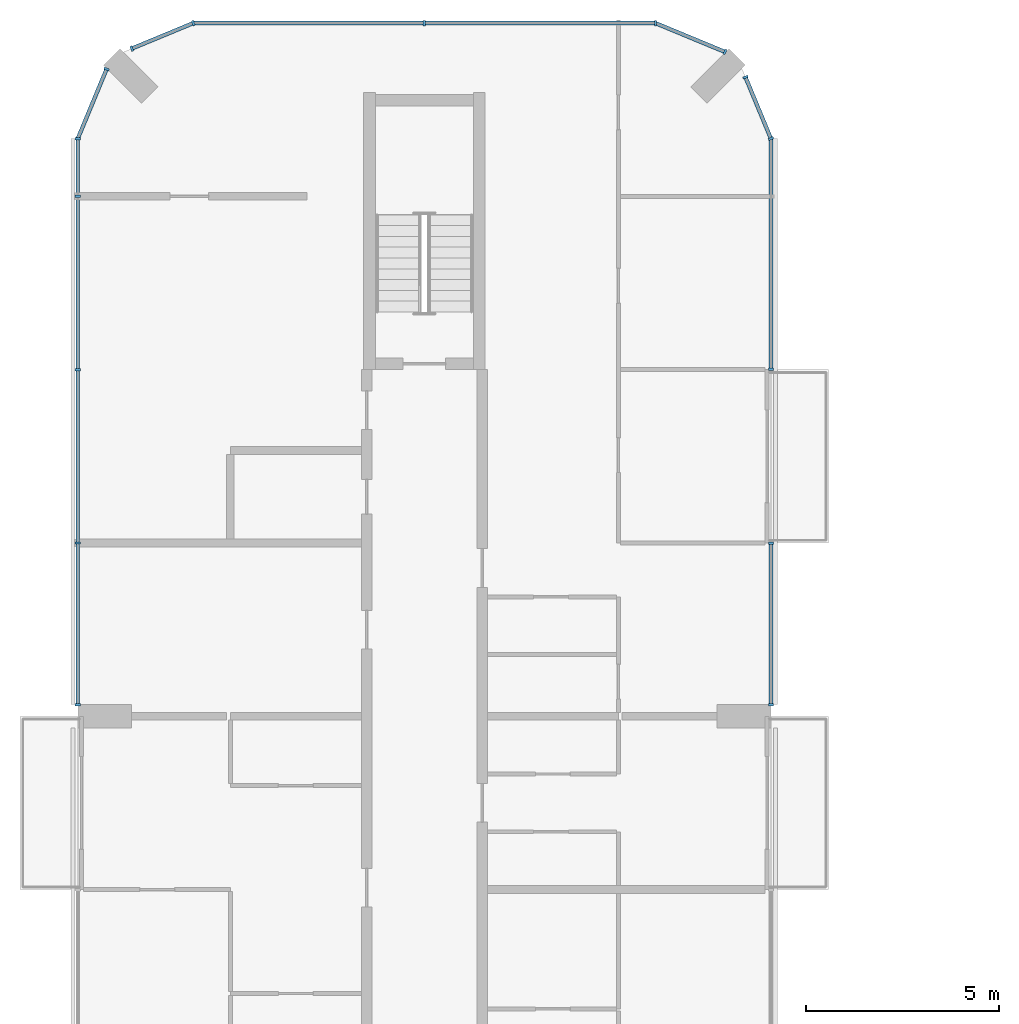
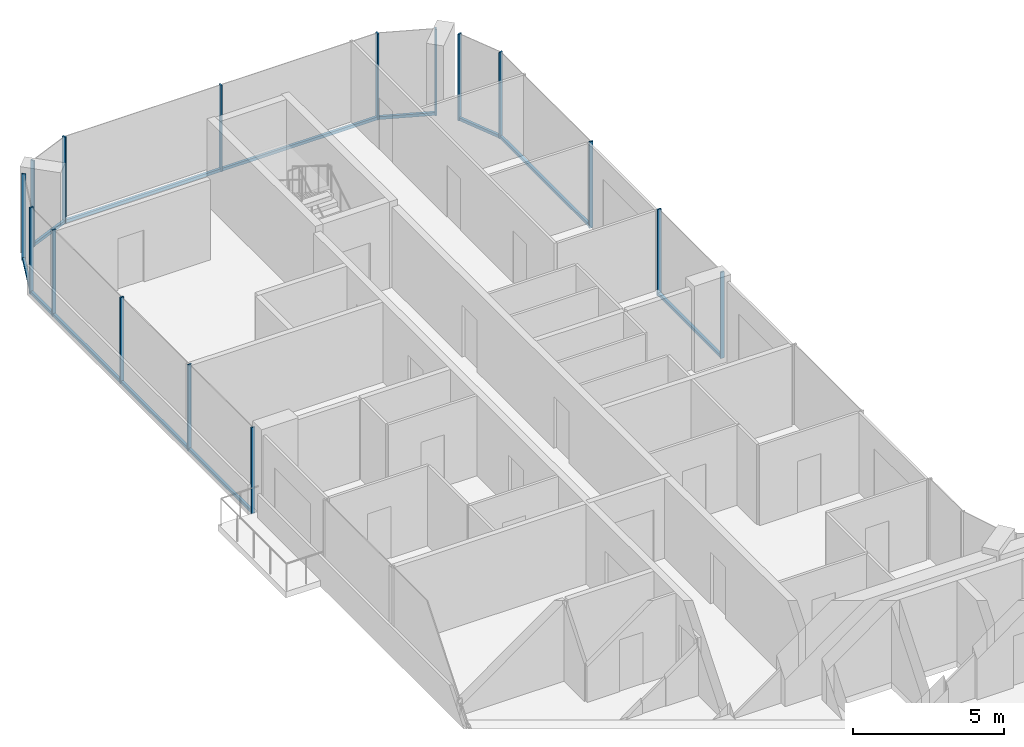
# One storey, part 7 of 15: 24 members, 8 elements without a shape of their own.
"""IFC4 building model written with IfcOpenShell, lengths in metres."""

import ifcopenshell
import ifcopenshell.guid

model = None  # the IFC model being written
_history = None  # IfcOwnerHistory: only IFC2X3 demands one
_inside = {}  # id of a spatial element -> (the spatial element, [elements in it])
_under = {}  # id of a project, library or spatial element -> (it, [spatial elements below it])
_declared = {}  # id of a project -> (the project, [libraries it declares])
_typed = {}  # id of a type object -> (the type object, [elements of that type])
_made_of = {}  # id of a material, layer set ... -> (it, [elements and type objects made of it])


def new_model(schema):
    """Start an empty IFC model of exactly this schema.

    Asked for "IFC4X3", IfcOpenShell would pick the latest addendum, in which some entities
    have other attributes; the version numbers below select the first issue.
    IFC2X3 requires an IfcOwnerHistory on every rooted entity: one is made here for all.
    """
    global model, _history
    if schema == "IFC4X3":
        model = ifcopenshell.file(schema_version=(4, 3, 0, 0))
    else:
        model = ifcopenshell.file(schema=schema)
    _inside.clear()
    _under.clear()
    _declared.clear()
    _typed.clear()
    _made_of.clear()
    _history = None
    if model.schema == "IFC2X3":
        org = make("IfcOrganization", Name="unknown")
        user = make(
            "IfcPersonAndOrganization",
            ThePerson=make("IfcPerson", FamilyName="unknown"),
            TheOrganization=org,
        )
        app = make(
            "IfcApplication",
            ApplicationDeveloper=org,
            Version="unknown",
            ApplicationFullName="unknown",
            ApplicationIdentifier="unknown",
        )
        _history = make(
            "IfcOwnerHistory",
            OwningUser=user,
            OwningApplication=app,
            ChangeAction="ADDED",
            CreationDate=0,
        )
    return model


def make(cls, **values):
    """One entity of the class cls with the attributes given. An attribute that is None is left unset."""
    return model.create_entity(
        cls, **{name: value for name, value in values.items() if value is not None}
    )


def rooted(cls, **values):
    """An entity with a GlobalId (a new one), such as an element, a storey or a relation."""
    return make(cls, GlobalId=ifcopenshell.guid.new(), OwnerHistory=_history, **values)


def si_unit(unit_type, name, prefix=None):
    """IfcSIUnit, for example si_unit("LENGTHUNIT", "METRE", prefix="MILLI")."""
    return make("IfcSIUnit", UnitType=unit_type, Prefix=prefix, Name=name)


def assignment(units):
    """IfcUnitAssignment: the units of a project."""
    return None if units is None else make("IfcUnitAssignment", Units=units)


def point(xyz):
    """IfcCartesianPoint."""
    return None if xyz is None else make("IfcCartesianPoint", Coordinates=xyz)


def direction(xyz):
    """IfcDirection."""
    return None if xyz is None else make("IfcDirection", DirectionRatios=xyz)


def frame(location, z_axis=None, x_axis=None):
    """IfcAxis2Placement3D, a coordinate frame: its origin and axes. An axis left out is left unset."""
    return make(
        "IfcAxis2Placement3D",
        Location=point(location),
        Axis=direction(z_axis),
        RefDirection=direction(x_axis),
    )


def frame_2d(location, x_axis=None):
    """IfcAxis2Placement2D, a coordinate frame in the plane: its origin and x axis."""
    return make(
        "IfcAxis2Placement2D", Location=point(location), RefDirection=direction(x_axis)
    )


def origin():
    """The frame at (0, 0, 0) with its axes left unset."""
    return frame((0.0, 0.0, 0.0))


def origin_2d():
    """The frame at (0, 0) in the plane with its x axis left unset."""
    return frame_2d((0.0, 0.0))


def place(relative_to, where):
    """IfcLocalPlacement: puts the frame where relative to a parent placement (None: the world)."""
    return make(
        "IfcLocalPlacement", PlacementRelTo=relative_to, RelativePlacement=where
    )


def context(
    kind, dimensions, precision=None, world=None, true_north=None, identifier=None
):
    """IfcGeometricRepresentationContext, for example the 3D "Model" context."""
    return make(
        "IfcGeometricRepresentationContext",
        ContextIdentifier=identifier,
        ContextType=kind,
        CoordinateSpaceDimension=dimensions,
        Precision=precision,
        WorldCoordinateSystem=world,
        TrueNorth=true_north,
    )


def subcontext(parent, identifier, kind, view, scale=None):
    """IfcGeometricRepresentationSubContext, for example "Body" below "Model"."""
    return make(
        "IfcGeometricRepresentationSubContext",
        ContextIdentifier=identifier,
        ContextType=kind,
        ParentContext=parent,
        TargetScale=scale,
        TargetView=view,
    )


def project(units=None, contexts=None):
    """IfcProject with its units and contexts."""
    return rooted(
        "IfcProject",
        Name="project",
        RepresentationContexts=contexts,
        UnitsInContext=assignment(units),
    )


def spatial(cls, under=None, at=None, **own):
    """A site, building, storey or space (cls), placed at a placement, below another one or the project."""
    s = rooted(cls, ObjectPlacement=at, **own)
    if under is not None:
        _under.setdefault(under.id(), (under, []))[1].append(s)
    return s


def profile(cls, at=None, kind="AREA", **sizes):
    """A parametric profile (cls). Its sizes go by their IFC names, for example OverallWidth=200.0."""
    return make(cls, ProfileType=kind, Position=at, **sizes)


def rectangle(**sizes):
    """IfcRectangleProfileDef."""
    return profile("IfcRectangleProfileDef", **sizes)


def extrude(swept, where, along, depth):
    """IfcExtrudedAreaSolid: the profile swept, set in the frame where, extruded along a direction by depth."""
    return make(
        "IfcExtrudedAreaSolid",
        SweptArea=swept,
        Position=where,
        ExtrudedDirection=direction(along),
        Depth=depth,
    )


def shape(context_of_items, identifier, shape_type, items):
    """IfcShapeRepresentation: the items that make up one representation, for example the "Body"."""
    return make(
        "IfcShapeRepresentation",
        ContextOfItems=context_of_items,
        RepresentationIdentifier=identifier,
        RepresentationType=shape_type,
        Items=items,
    )


def material(Name=None, Category=None):
    """IfcMaterial."""
    return make("IfcMaterial", Name=Name, Category=Category)


def layer(
    of_material, thickness, ventilated=None, Name=None, Category=None, Priority=None
):
    """IfcMaterialLayer: one layer of a wall or slab, of a material (None: an air gap)."""
    return make(
        "IfcMaterialLayer",
        Material=of_material,
        LayerThickness=thickness,
        IsVentilated=ventilated,
        Name=Name,
        Category=Category,
        Priority=Priority,
    )


def layer_set(layers, Name=None):
    """IfcMaterialLayerSet."""
    return make("IfcMaterialLayerSet", MaterialLayers=layers, LayerSetName=Name)


def material_profile(
    of_material, cross_section, Name=None, Category=None, Priority=None
):
    """IfcMaterialProfile: a cross section and its material."""
    return make(
        "IfcMaterialProfile",
        Name=Name,
        Material=of_material,
        Profile=cross_section,
        Priority=Priority,
        Category=Category,
    )


def profile_set(profiles, Name=None, composite=None):
    """IfcMaterialProfileSet."""
    return make(
        "IfcMaterialProfileSet",
        Name=Name,
        MaterialProfiles=profiles,
        CompositeProfile=composite,
    )


def made_of(thing, what):
    """Note that an element or type object is made of a material, layer set ...; save() writes the relation."""
    if what is not None:
        _made_of.setdefault(what.id(), (what, []))[1].append(thing)
    return thing


def type_object(cls, material=None, **own):
    """A type object (cls), such as IfcWallType, which elements share."""
    return made_of(rooted(cls, **own), material)


def element(
    cls,
    number,
    at=None,
    inside=None,
    cuts=None,
    type_object=None,
    material=None,
    context=None,
    identifier="Body",
    shape_type=None,
    held_by="IfcProductDefinitionShape",
    body=None,
    shapes=None,
    **own,
):
    """One element of the class cls, such as IfcWall. Its Tag is "e" and its number.

    at: its placement. inside: the storey or other place that contains it. cuts: it is an
    opening in that element (IfcRelVoidsElement). A single representation is given by context,
    identifier, shape_type and body (its items); several are given by shapes. held_by: the class
    of the entity that holds the representations. save() writes the other relations.
    """
    e = rooted(cls, Tag="e%d" % number, ObjectPlacement=at, **own)
    if body is not None:
        shapes = [shape(context, identifier, shape_type, body)]
    if shapes is not None:
        e.Representation = make(held_by, Representations=shapes)
    if inside is not None:
        _inside.setdefault(inside.id(), (inside, []))[1].append(e)
    if cuts is not None:
        rooted(
            "IfcRelVoidsElement", RelatingBuildingElement=cuts, RelatedOpeningElement=e
        )
    if type_object is not None:
        _typed.setdefault(type_object.id(), (type_object, []))[1].append(e)
    return made_of(e, material)


def aggregate(whole, parts):
    """IfcRelAggregates: a whole, such as a stair, and the parts it consists of."""
    return rooted("IfcRelAggregates", RelatingObject=whole, RelatedObjects=parts)


def save(model, path):
    """Write the relations noted so far, then the file.

    IfcRelAggregates (storeys below a building ...), IfcRelContainedInSpatialStructure (elements
    in a storey), IfcRelDefinesByType, IfcRelAssociatesMaterial and IfcRelDeclares: one each for
    every whole, place, type object, material and project.
    """
    for whole, parts in _under.values():
        aggregate(whole, parts)
    for where, things in _inside.values():
        rooted(
            "IfcRelContainedInSpatialStructure",
            RelatedElements=things,
            RelatingStructure=where,
        )
    for kind, things in _typed.values():
        rooted("IfcRelDefinesByType", RelatedObjects=things, RelatingType=kind)
    for what, things in _made_of.values():
        rooted("IfcRelAssociatesMaterial", RelatedObjects=things, RelatingMaterial=what)
    for by, libraries in _declared.values():
        rooted("IfcRelDeclares", RelatingContext=by, RelatedDefinitions=libraries)
    model.write(path)


model = new_model("IFC4")

# Units and contexts
model_context = context("Model", 3, precision=1e-05, world=origin(), true_north=direction((0.0, 1.0)))
body_context = subcontext(model_context, "Body", "Model", "MODEL_VIEW")
ifc_project = project(units=[si_unit("LENGTHUNIT", "METRE"), si_unit("AREAUNIT", "SQUARE_METRE"), si_unit("VOLUMEUNIT", "CUBIC_METRE"), si_unit("PLANEANGLEUNIT", "RADIAN"), si_unit("MASSUNIT", "GRAM", prefix="KILO")], contexts=[model_context])

# Site, building, storey
site_placement = place(None, origin())
site = spatial("IfcSite", under=ifc_project, at=site_placement, CompositionType="ELEMENT")
building_placement = place(site_placement, origin())
building = spatial("IfcBuilding", under=site, at=building_placement, Name="Plateau Cross Towers", CompositionType="ELEMENT")
storey_placement = place(building_placement, frame((0.0, 0.0, 204.89990234375)))
storey = spatial("IfcBuildingStorey", under=building, at=storey_placement, Name="L53", CompositionType="ELEMENT", Elevation=204.89990234375)

# Curtain wall, members
ifc_material_1 = material(Name="Dark low-iron glass", Category="glass")
ifc_layer = layer(ifc_material_1, 0.239990234375)
ifc_layer_set = layer_set([ifc_layer], Name="Dark low-iron glass")
curtain_wall_type = type_object("IfcCurtainWallType", Name="Curtain wall flush unitised CW-B", PredefinedType="NOTDEFINED", material=ifc_layer_set)
curtain_wall_1_placement = place(storey_placement, origin())
curtain_wall_1 = element("IfcCurtainWall", 1, at=curtain_wall_1_placement, inside=storey, type_object=curtain_wall_type, Name="ENV/A/L53/A180_363", PredefinedType="NOTDEFINED")
ifc_material_2 = material(Name="Black anodised aluminium", Category="aluminium")
ifc_material_profile_1 = material_profile(ifc_material_2, rectangle(XDim=0.06005859375, YDim=0.139892578125, at=origin_2d()), Name="MULLION 60x140")
ifc_profile_set_1 = profile_set([ifc_material_profile_1], Name="Black anodised aluminium")
member_type_1 = type_object("IfcMemberType", Name="Mullion 60x140 flush unitised", PredefinedType="MULLION", material=ifc_profile_set_1)
member_1_placement = place(storey_placement, frame((18.0, 36.300048828125, -0.25), z_axis=(0.0, 0.0, 1.0), x_axis=(0.0, 1.0, 0.0)))
member_1 = element("IfcMember", 2, at=member_1_placement, type_object=member_type_1, Name="CW-B mullion 1", PredefinedType="MULLION", context=body_context, shape_type="SweptSolid", body=[
    extrude(rectangle(XDim=0.06005859375, YDim=0.139892578125, at=origin_2d()), origin(), (0.0, 0.0, 1.0), 3.5),
])
member_2_placement = place(storey_placement, frame((18.0, 40.489990234375, -0.25), z_axis=(0.0, 0.0, 1.0), x_axis=(0.0, 1.0, 0.0)))
member_2 = element("IfcMember", 3, at=member_2_placement, type_object=member_type_1, Name="CW-B mullion 2", PredefinedType="MULLION", context=body_context, shape_type="SweptSolid", body=[
    extrude(rectangle(XDim=0.06005859375, YDim=0.139892578125, at=origin_2d()), origin(), (0.0, 0.0, 1.0), 3.5),
])

# Curtain wall, member
curtain_wall_2_placement = place(storey_placement, origin())
curtain_wall_2 = element("IfcCurtainWall", 4, at=curtain_wall_2_placement, inside=storey, type_object=curtain_wall_type, Name="ENV/A/L53/A180_450", PredefinedType="NOTDEFINED")
member_3_placement = place(storey_placement, frame((18.0, 45.010009765625, -0.25), z_axis=(0.0, 0.0, 1.0), x_axis=(0.0, 1.0, 0.0)))
member_3 = element("IfcMember", 5, at=member_3_placement, type_object=member_type_1, Name="CW-B mullion 1", PredefinedType="MULLION", context=body_context, shape_type="SweptSolid", body=[
    extrude(rectangle(XDim=0.06005859375, YDim=0.139892578125, at=origin_2d()), origin(), (0.0, 0.0, 1.0), 3.5),
])

# Curtain wall, members
curtain_wall_3_placement = place(storey_placement, origin())
curtain_wall_3 = element("IfcCurtainWall", 6, at=curtain_wall_3_placement, inside=storey, type_object=curtain_wall_type, Name="ENV/A/L53/A180_510", PredefinedType="NOTDEFINED")
member_4_placement = place(storey_placement, frame((18.0, 51.0, -0.25), z_axis=(0.0, 0.0, 1.0), x_axis=(-0.382683612978, 0.923879457699, 0.0)))
member_4 = element("IfcMember", 7, at=member_4_placement, type_object=member_type_1, Name="CW-B mullion 1", PredefinedType="MULLION", context=body_context, shape_type="SweptSolid", body=[
    extrude(rectangle(XDim=0.06005859375, YDim=0.139892578125, at=origin_2d()), origin(), (0.0, 0.0, 1.0), 3.5),
])
member_5_placement = place(storey_placement, frame((17.338623046875, 52.5966796875, -0.25), z_axis=(0.0, 0.0, 1.0), x_axis=(-0.382683612978, 0.923879457699, 0.0)))
member_5 = element("IfcMember", 8, at=member_5_placement, type_object=member_type_1, Name="CW-B mullion 2", PredefinedType="MULLION", context=body_context, shape_type="SweptSolid", body=[
    extrude(rectangle(XDim=0.06005859375, YDim=0.139892578125, at=origin_2d()), origin(), (0.0, 0.0, 1.0), 3.5),
])

# Curtain wall, member
curtain_wall_4_placement = place(storey_placement, origin())
curtain_wall_4 = element("IfcCurtainWall", 9, at=curtain_wall_4_placement, inside=storey, type_object=curtain_wall_type, Name="ENV/A/L53/A168_533", PredefinedType="NOTDEFINED")
member_6_placement = place(storey_placement, frame((16.805908203125, 53.251953125, -0.25), z_axis=(0.0, 0.0, 1.0), x_axis=(-0.923879457699, 0.382683612978, 0.0)))
member_6 = element("IfcMember", 10, at=member_6_placement, type_object=member_type_1, Name="CW-B mullion 1", PredefinedType="MULLION", context=body_context, shape_type="SweptSolid", body=[
    extrude(rectangle(XDim=0.06005859375, YDim=0.139892578125, at=origin_2d()), origin(), (0.0, 0.0, 1.0), 3.5),
])

# Curtain wall, members
curtain_wall_5_placement = place(storey_placement, origin())
curtain_wall_5 = element("IfcCurtainWall", 11, at=curtain_wall_5_placement, inside=storey, type_object=curtain_wall_type, Name="ENV/A/L53/A150_540", PredefinedType="NOTDEFINED")
member_7_placement = place(storey_placement, frame((15.0, 54.0, -0.25), z_axis=(0.0, 0.0, 1.0), x_axis=(-1.0, 0.0, 0.0)))
member_7 = element("IfcMember", 12, at=member_7_placement, type_object=member_type_1, Name="CW-B mullion 1", PredefinedType="MULLION", context=body_context, shape_type="SweptSolid", body=[
    extrude(rectangle(XDim=0.06005859375, YDim=0.139892578125, at=origin_2d()), origin(), (0.0, 0.0, 1.0), 3.5),
])
member_8_placement = place(storey_placement, frame((9.0, 54.0, -0.25), z_axis=(0.0, 0.0, 1.0), x_axis=(-1.0, 0.0, 0.0)))
member_8 = element("IfcMember", 13, at=member_8_placement, type_object=member_type_1, Name="CW-B mullion 2", PredefinedType="MULLION", context=body_context, shape_type="SweptSolid", body=[
    extrude(rectangle(XDim=0.06005859375, YDim=0.139892578125, at=origin_2d()), origin(), (0.0, 0.0, 1.0), 3.5),
])

curtain_wall_6_placement = place(storey_placement, origin())
curtain_wall_6 = element("IfcCurtainWall", 14, at=curtain_wall_6_placement, inside=storey, type_object=curtain_wall_type, Name="ENV/A/L53/A30_540", PredefinedType="NOTDEFINED")
member_9_placement = place(storey_placement, frame((3.0, 54.0, -0.25), z_axis=(0.0, 0.0, 1.0), x_axis=(-0.923879457699, -0.382683612978, 0.0)))
member_9 = element("IfcMember", 15, at=member_9_placement, type_object=member_type_1, Name="CW-B mullion 1", PredefinedType="MULLION", context=body_context, shape_type="SweptSolid", body=[
    extrude(rectangle(XDim=0.06005859375, YDim=0.139892578125, at=origin_2d()), origin(), (0.0, 0.0, 1.0), 3.5),
])
member_10_placement = place(storey_placement, frame((1.4033203125, 53.338623046875, -0.25), z_axis=(0.0, 0.0, 1.0), x_axis=(-0.923879457699, -0.382683612978, 0.0)))
member_10 = element("IfcMember", 16, at=member_10_placement, type_object=member_type_1, Name="CW-B mullion 2", PredefinedType="MULLION", context=body_context, shape_type="SweptSolid", body=[
    extrude(rectangle(XDim=0.06005859375, YDim=0.139892578125, at=origin_2d()), origin(), (0.0, 0.0, 1.0), 3.5),
])

# Curtain wall, member
curtain_wall_7_placement = place(storey_placement, origin())
curtain_wall_7 = element("IfcCurtainWall", 17, at=curtain_wall_7_placement, inside=storey, type_object=curtain_wall_type, Name="ENV/A/L53/A7_528", PredefinedType="NOTDEFINED")
member_11_placement = place(storey_placement, frame((0.748046875, 52.805908203125, -0.25), z_axis=(0.0, 0.0, 1.0), x_axis=(-0.382683612978, -0.923879457699, 0.0)))
member_11 = element("IfcMember", 18, at=member_11_placement, type_object=member_type_1, Name="CW-B mullion 1", PredefinedType="MULLION", context=body_context, shape_type="SweptSolid", body=[
    extrude(rectangle(XDim=0.06005859375, YDim=0.139892578125, at=origin_2d()), origin(), (0.0, 0.0, 1.0), 3.5),
])

# Curtain wall, members
curtain_wall_8_placement = place(storey_placement, origin())
curtain_wall_8 = element("IfcCurtainWall", 19, at=curtain_wall_8_placement, inside=storey, type_object=curtain_wall_type, Name="ENV/A/L53/A0_510", PredefinedType="NOTDEFINED")
member_12_placement = place(storey_placement, frame((0.0, 51.0, -0.25), z_axis=(0.0, 0.0, 1.0), x_axis=(0.0, -1.0, 0.0)))
member_12 = element("IfcMember", 20, at=member_12_placement, type_object=member_type_1, Name="CW-B mullion 1", PredefinedType="MULLION", context=body_context, shape_type="SweptSolid", body=[
    extrude(rectangle(XDim=0.06005859375, YDim=0.139892578125, at=origin_2d()), origin(), (0.0, 0.0, 1.0), 3.5),
])
member_13_placement = place(storey_placement, frame((0.0, 49.5, -0.25), z_axis=(0.0, 0.0, 1.0), x_axis=(0.0, -1.0, 0.0)))
member_13 = element("IfcMember", 21, at=member_13_placement, type_object=member_type_1, Name="CW-B mullion 2", PredefinedType="MULLION", context=body_context, shape_type="SweptSolid", body=[
    extrude(rectangle(XDim=0.06005859375, YDim=0.139892578125, at=origin_2d()), origin(), (0.0, 0.0, 1.0), 3.5),
])
member_14_placement = place(storey_placement, frame((0.0, 45.0, -0.25), z_axis=(0.0, 0.0, 1.0), x_axis=(0.0, -1.0, 0.0)))
member_14 = element("IfcMember", 22, at=member_14_placement, type_object=member_type_1, Name="CW-B mullion 3", PredefinedType="MULLION", context=body_context, shape_type="SweptSolid", body=[
    extrude(rectangle(XDim=0.06005859375, YDim=0.139892578125, at=origin_2d()), origin(), (0.0, 0.0, 1.0), 3.5),
])
member_15_placement = place(storey_placement, frame((0.0, 40.5, -0.25), z_axis=(0.0, 0.0, 1.0), x_axis=(0.0, -1.0, 0.0)))
member_15 = element("IfcMember", 23, at=member_15_placement, type_object=member_type_1, Name="CW-B mullion 4", PredefinedType="MULLION", context=body_context, shape_type="SweptSolid", body=[
    extrude(rectangle(XDim=0.06005859375, YDim=0.139892578125, at=origin_2d()), origin(), (0.0, 0.0, 1.0), 3.5),
])
member_16_placement = place(storey_placement, frame((0.0, 36.300048828125, -0.25), z_axis=(0.0, 0.0, 1.0), x_axis=(0.0, -1.0, 0.0)))
member_16 = element("IfcMember", 24, at=member_16_placement, type_object=member_type_1, Name="CW-B mullion 5", PredefinedType="MULLION", context=body_context, shape_type="SweptSolid", body=[
    extrude(rectangle(XDim=0.06005859375, YDim=0.139892578125, at=origin_2d()), origin(), (0.0, 0.0, 1.0), 3.5),
])

# Member
ifc_material_profile_2 = material_profile(ifc_material_2, rectangle(XDim=0.10009765625, YDim=0.1201171875, at=origin_2d()), Name="TRANSOM 100x120")
ifc_profile_set_2 = profile_set([ifc_material_profile_2], Name="Black anodised aluminium")
member_type_2 = type_object("IfcMemberType", Name="Transom 100x120 flush unitised", PredefinedType="USERDEFINED", material=ifc_profile_set_2)
member_17_placement = place(storey_placement, frame((18.0, 36.300048828125, -0.18994140625), z_axis=(0.0, 1.0, 0.0), x_axis=(-1.0, 0.0, 0.0)))
member_17 = element("IfcMember", 25, at=member_17_placement, type_object=member_type_2, Name="CW-B transom", ObjectType="TRANSOM", PredefinedType="USERDEFINED", context=body_context, shape_type="SweptSolid", body=[
    extrude(rectangle(XDim=0.10009765625, YDim=0.1201171875, at=origin_2d()), origin(), (0.0, 0.0, 1.0), 4.18994140625),
])

aggregate(curtain_wall_1, [member_1, member_2, member_17])

member_18_placement = place(storey_placement, frame((18.0, 45.010009765625, -0.18994140625), z_axis=(0.0, 1.0, 0.0), x_axis=(-1.0, 0.0, 0.0)))
member_18 = element("IfcMember", 26, at=member_18_placement, type_object=member_type_2, Name="CW-B transom", ObjectType="TRANSOM", PredefinedType="USERDEFINED", context=body_context, shape_type="SweptSolid", body=[
    extrude(rectangle(XDim=0.10009765625, YDim=0.1201171875, at=origin_2d()), origin(), (0.0, 0.0, 1.0), 5.989990234375),
])

aggregate(curtain_wall_2, [member_3, member_18])

member_19_placement = place(storey_placement, frame((18.0, 51.0, -0.18994140625), z_axis=(-0.382688653628, 0.923877369776, 0.0), x_axis=(-0.923877369776, -0.382688653628, 0.0)))
member_19 = element("IfcMember", 27, at=member_19_placement, type_object=member_type_2, Name="CW-B transom", ObjectType="TRANSOM", PredefinedType="USERDEFINED", context=body_context, shape_type="SweptSolid", body=[
    extrude(rectangle(XDim=0.10009765625, YDim=0.1201171875, at=origin_2d()), origin(), (0.0, 0.0, 1.0), 1.728271484375),
])

aggregate(curtain_wall_3, [member_4, member_5, member_19])

member_20_placement = place(storey_placement, frame((16.805908203125, 53.251953125, -0.18994140625), z_axis=(-0.92387678234, 0.382690071798, 0.0), x_axis=(-0.382690071798, -0.92387678234, 0.0)))
member_20 = element("IfcMember", 28, at=member_20_placement, type_object=member_type_2, Name="CW-B transom", ObjectType="TRANSOM", PredefinedType="USERDEFINED", context=body_context, shape_type="SweptSolid", body=[
    extrude(rectangle(XDim=0.10009765625, YDim=0.1201171875, at=origin_2d()), origin(), (0.0, 0.0, 1.0), 1.95458984375),
])

aggregate(curtain_wall_4, [member_6, member_20])

member_21_placement = place(storey_placement, frame((15.0, 54.0, -0.18994140625), z_axis=(-1.0, 0.0, 0.0), x_axis=(0.0, -1.0, 0.0)))
member_21 = element("IfcMember", 29, at=member_21_placement, type_object=member_type_2, Name="CW-B transom", ObjectType="TRANSOM", PredefinedType="USERDEFINED", context=body_context, shape_type="SweptSolid", body=[
    extrude(rectangle(XDim=0.10009765625, YDim=0.1201171875, at=origin_2d()), origin(), (0.0, 0.0, 1.0), 12.0),
])

aggregate(curtain_wall_5, [member_7, member_8, member_21])

member_22_placement = place(storey_placement, frame((3.0, 54.0, -0.18994140625), z_axis=(-0.923877369776, -0.382688653628, 0.0), x_axis=(0.382688653628, -0.923877369776, 0.0)))
member_22 = element("IfcMember", 30, at=member_22_placement, type_object=member_type_2, Name="CW-B transom", ObjectType="TRANSOM", PredefinedType="USERDEFINED", context=body_context, shape_type="SweptSolid", body=[
    extrude(rectangle(XDim=0.10009765625, YDim=0.1201171875, at=origin_2d()), origin(), (0.0, 0.0, 1.0), 1.728271484375),
])

aggregate(curtain_wall_6, [member_9, member_10, member_22])

member_23_placement = place(storey_placement, frame((0.748046875, 52.805908203125, -0.18994140625), z_axis=(-0.382690071798, -0.92387678234, 0.0), x_axis=(0.92387678234, -0.382690071798, 0.0)))
member_23 = element("IfcMember", 31, at=member_23_placement, type_object=member_type_2, Name="CW-B transom", ObjectType="TRANSOM", PredefinedType="USERDEFINED", context=body_context, shape_type="SweptSolid", body=[
    extrude(rectangle(XDim=0.10009765625, YDim=0.1201171875, at=origin_2d()), origin(), (0.0, 0.0, 1.0), 1.95458984375),
])

aggregate(curtain_wall_7, [member_11, member_23])

member_24_placement = place(storey_placement, frame((0.0, 51.0, -0.18994140625), z_axis=(0.0, -1.0, 0.0), x_axis=(1.0, 0.0, 0.0)))
member_24 = element("IfcMember", 32, at=member_24_placement, type_object=member_type_2, Name="CW-B transom", ObjectType="TRANSOM", PredefinedType="USERDEFINED", context=body_context, shape_type="SweptSolid", body=[
    extrude(rectangle(XDim=0.10009765625, YDim=0.1201171875, at=origin_2d()), origin(), (0.0, 0.0, 1.0), 14.699951171875),
])

aggregate(curtain_wall_8, [member_12, member_13, member_14, member_15, member_16, member_24])

save(model, "model.ifc")
